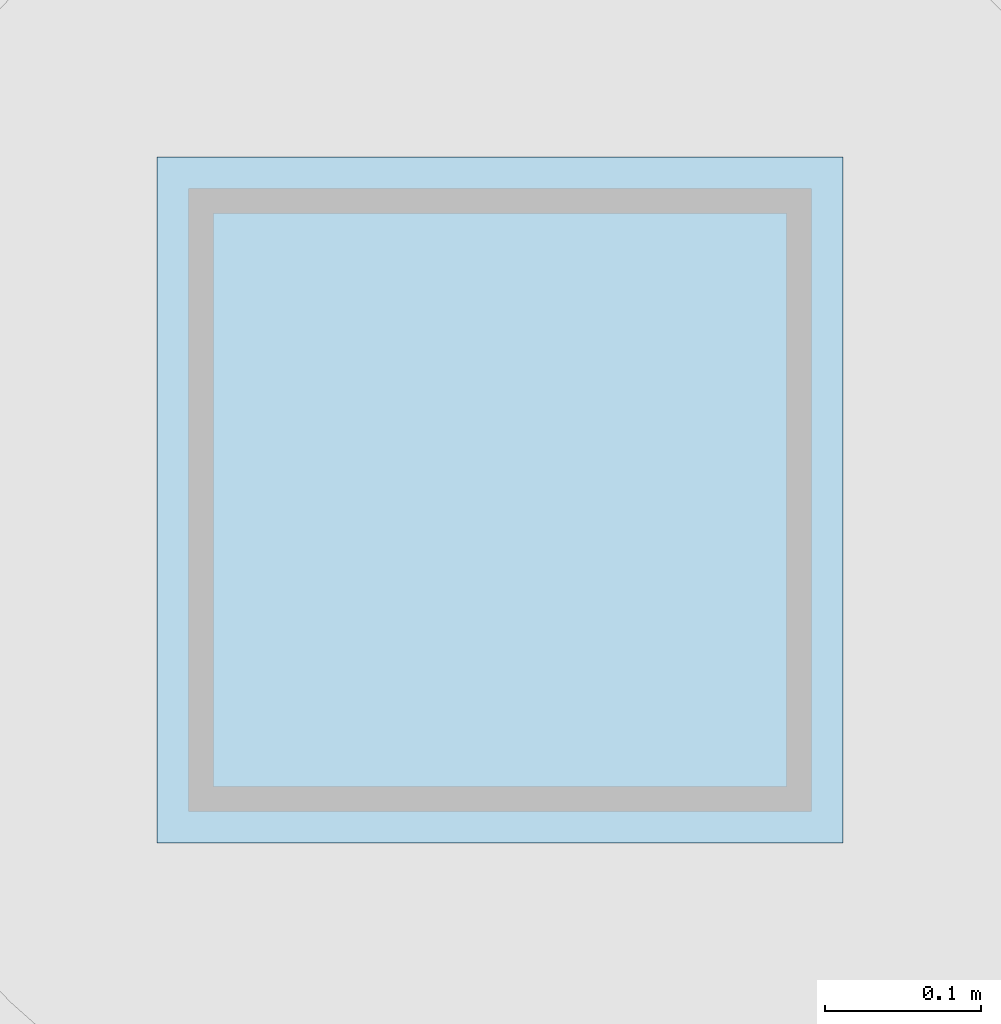
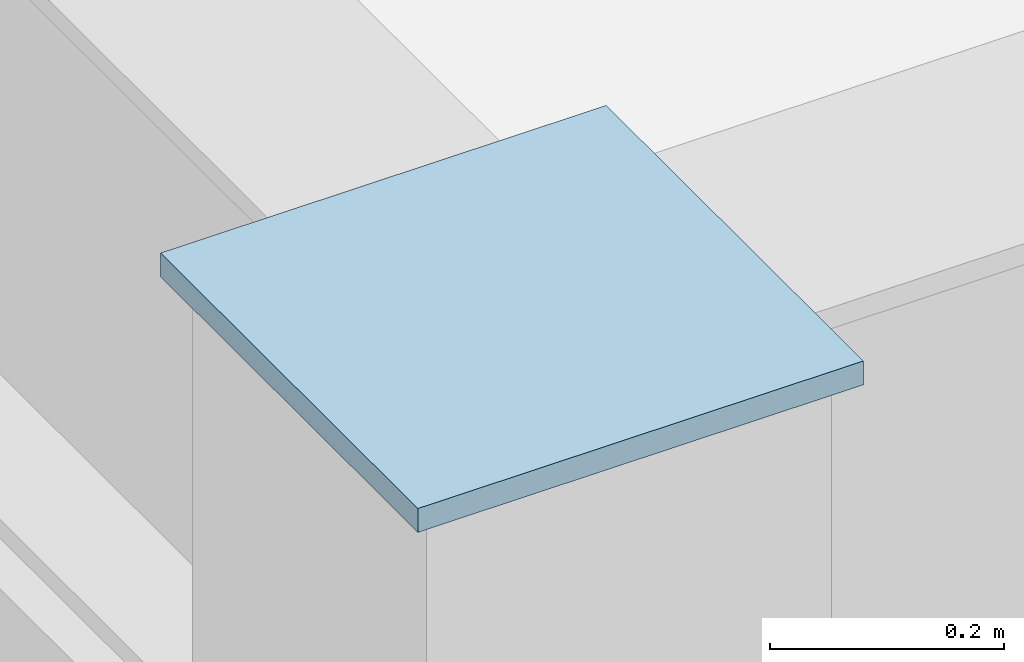
# One storey, part 41 of 93: 1 plate.
"""IFC4 building model written with IfcOpenShell, lengths in metres."""

from ifc_helpers import new_model, si_unit, direction, frame, origin, origin_2d, place, context, subcontext, project, spatial, rectangle, extrude, material, layer, layer_set, type_object, element, save


model = new_model("IFC4")

# Units and contexts
model_context = context("Model", 3, precision=1e-05, world=origin(), true_north=direction((0.0, 1.0)))
body_context = subcontext(model_context, "Body", "Model", "MODEL_VIEW")
ifc_project = project(units=[si_unit("LENGTHUNIT", "METRE"), si_unit("AREAUNIT", "SQUARE_METRE"), si_unit("VOLUMEUNIT", "CUBIC_METRE"), si_unit("PLANEANGLEUNIT", "RADIAN"), si_unit("MASSUNIT", "GRAM", prefix="KILO")], contexts=[model_context])

# Site, building, storey
site_placement = place(None, origin())
site = spatial("IfcSite", under=ifc_project, at=site_placement, CompositionType="ELEMENT")
building_placement = place(site_placement, origin())
building = spatial("IfcBuilding", under=site, at=building_placement, Name="Kalgoora Escarpment Arena", CompositionType="ELEMENT")
storey_placement = place(building_placement, origin())
storey = spatial("IfcBuildingStorey", under=building, at=storey_placement, Name="L00", CompositionType="ELEMENT", Elevation=0.0)

# Plate
ifc_material = material(Name="Structural steel Grade 350 (350 MPa)", Category="steel")
ifc_layer = layer(ifc_material, 0.02490234375)
ifc_layer_set = layer_set([ifc_layer], Name="PLT-CAP-400")
plate_type = type_object("IfcPlateType", Name="PLT-CAP-400", PredefinedType="USERDEFINED", material=ifc_layer_set)
plate_placement = place(storey_placement, frame((0.0, 32.0, 5.125), z_axis=(0.0, 0.0, 1.0), x_axis=(1.0, 0.0, 0.0)))
element("IfcPlate", 1, at=plate_placement, inside=storey, type_object=plate_type, Name="COL-G1-E-L00 end cap plate", ObjectType="FLANGE PLATE", PredefinedType="USERDEFINED", context=body_context, shape_type="SweptSolid", body=[
    extrude(rectangle(XDim=0.43994140625, YDim=0.43994140625, at=origin_2d()), origin(), (0.0, 0.0, 1.0), 0.02490234375),
])

save(model, "model.ifc")
